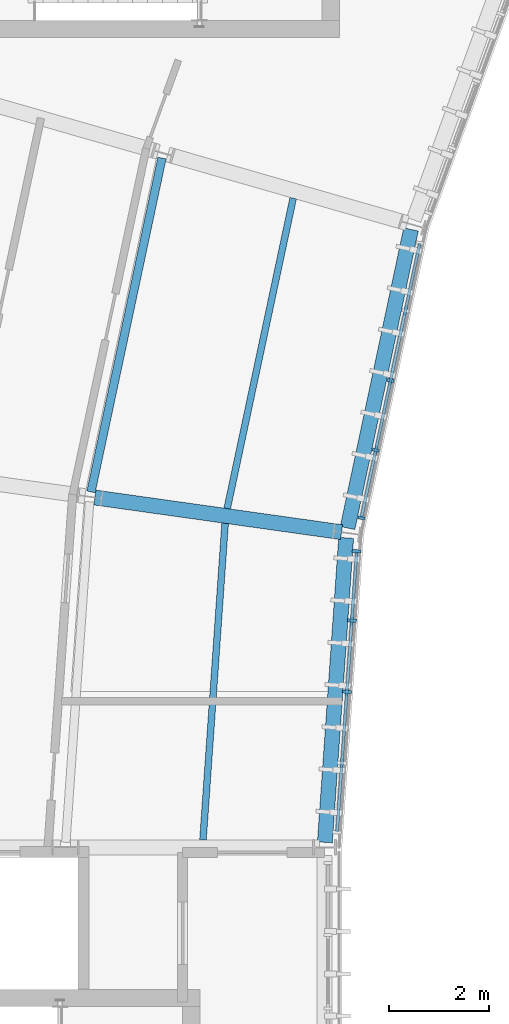
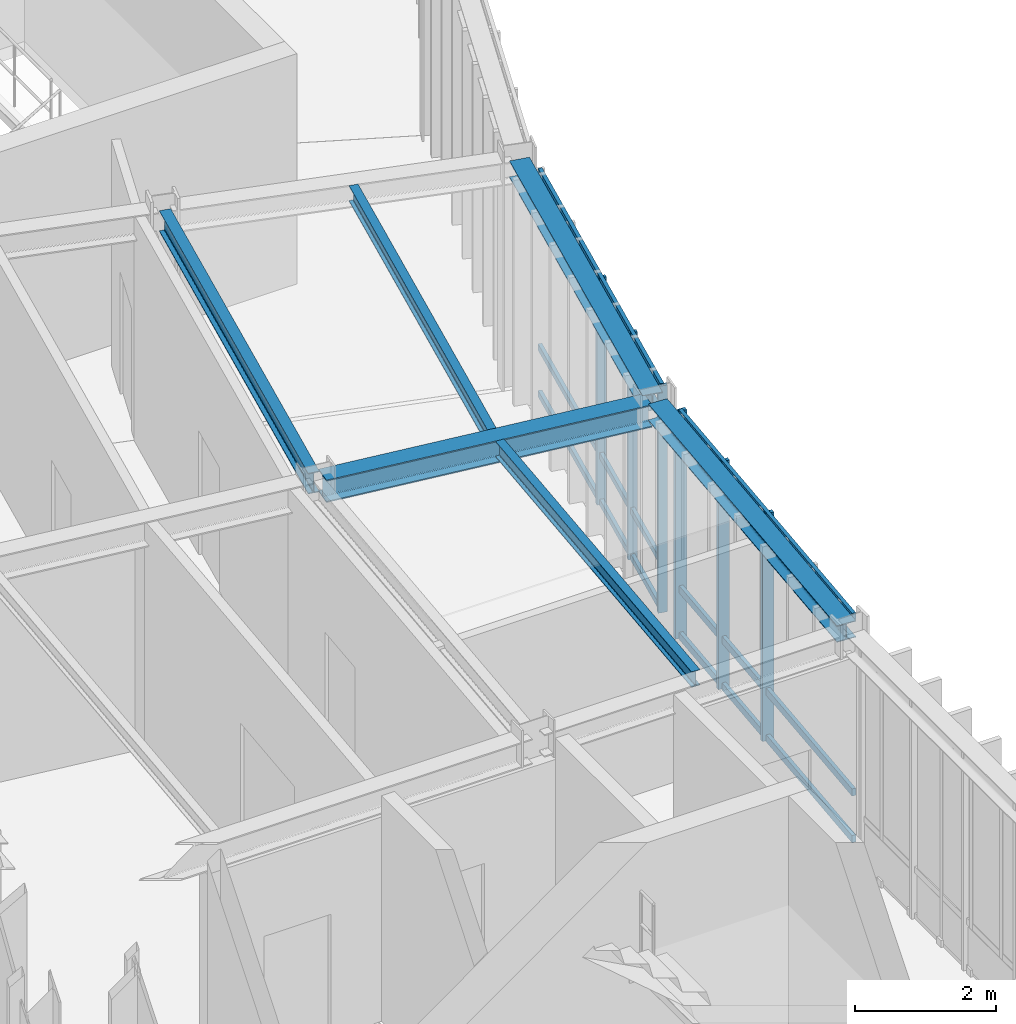
# One storey, part 11 of 57: 12 members, 6 beams, 2 elements without a shape of their own.
"""IFC4 building model written with IfcOpenShell, lengths in metres."""

from ifc_helpers import new_model, si_unit, direction, frame, origin, origin_2d, place, context, subcontext, project, spatial, rectangle, i_section, extrude, material, layer, layer_set, material_profile, profile_set, type_object, element, aggregate, save


model = new_model("IFC4")

# Units and contexts
model_context = context("Model", 3, precision=1e-05, world=origin(), true_north=direction((0.0, 1.0)))
body_context = subcontext(model_context, "Body", "Model", "MODEL_VIEW")
ifc_project = project(units=[si_unit("LENGTHUNIT", "METRE"), si_unit("AREAUNIT", "SQUARE_METRE"), si_unit("VOLUMEUNIT", "CUBIC_METRE"), si_unit("PLANEANGLEUNIT", "RADIAN"), si_unit("MASSUNIT", "GRAM", prefix="KILO"), si_unit("THERMODYNAMICTEMPERATUREUNIT", "KELVIN"), si_unit("POWERUNIT", "WATT")], contexts=[model_context])

# Site, building, storey
site_placement = place(None, origin())
site = spatial("IfcSite", under=ifc_project, at=site_placement, CompositionType="ELEMENT")
building_placement = place(site_placement, origin())
building = spatial("IfcBuilding", under=site, at=building_placement, Name="Solvatero Civic Police Headquarters", CompositionType="ELEMENT")
storey_placement = place(building_placement, frame((0.0, 0.0, 9.300048828125)))
storey = spatial("IfcBuildingStorey", under=building, at=storey_placement, Name="L02", CompositionType="ELEMENT", Elevation=9.300048828125)

# Beams
ifc_material_1 = material(Name="Steel S355", Category="steel")
ifc_material_profile_1 = material_profile(ifc_material_1, i_section(OverallWidth=0.300048828125, OverallDepth=0.2900390625, WebThickness=0.008544921875, FlangeThickness=0.013916015625, FilletRadius=0.027099609375, at=origin_2d()), Name="HEA 300")
ifc_profile_set_1 = profile_set([ifc_material_profile_1], Name="Steel S355")
beam_type_1 = type_object("IfcBeamType", Name="BM-ST-HEA300", PredefinedType="SPANDREL", material=ifc_profile_set_1)
beam_1_placement = place(storey_placement, frame((50.385986328125, 38.40234375, 3.85498046875), z_axis=(-0.207917848731, -0.978146291809, 0.0), x_axis=(0.978146291809, -0.207917848731, 0.0)))
element("IfcBeam", 1, at=beam_1_placement, inside=storey, type_object=beam_type_1, Name="Perimeter / radial spandrel beam BM-R2-L02-ARC-CIN-B11", PredefinedType="SPANDREL", context=body_context, shape_type="SweptSolid", body=[
    extrude(i_section(OverallWidth=0.300048828125, OverallDepth=0.2900390625, WebThickness=0.008544921875, FlangeThickness=0.013916015625, FilletRadius=0.027099609375, at=origin_2d()), origin(), (0.0, 0.0, 1.0), 6.126953125),
])
beam_2_placement = place(storey_placement, frame((49.084228515625, 32.211669921875, 3.85498046875), z_axis=(-0.069734750573, -0.997565569054, 0.0), x_axis=(0.997565569054, -0.069734750573, 0.0)))
element("IfcBeam", 2, at=beam_2_placement, inside=storey, type_object=beam_type_1, Name="Perimeter / radial spandrel beam BM-R2-L02-ARC-CIN-B12", PredefinedType="SPANDREL", context=body_context, shape_type="SweptSolid", body=[
    extrude(i_section(OverallWidth=0.300048828125, OverallDepth=0.2900390625, WebThickness=0.008544921875, FlangeThickness=0.013916015625, FilletRadius=0.027099609375, at=origin_2d()), origin(), (0.0, 0.0, 1.0), 6.126708984375),
])
ifc_material_profile_2 = material_profile(ifc_material_1, i_section(OverallWidth=0.300048828125, OverallDepth=0.389892578125, WebThickness=0.010986328125, FlangeThickness=0.01904296875, FilletRadius=0.027099609375, at=origin_2d()), Name="HEA 400")
ifc_profile_set_2 = profile_set([ifc_material_profile_2], Name="Steel S355")
beam_type_2 = type_object("IfcBeamType", Name="BM-ST-HEA400", PredefinedType="BEAM", material=ifc_profile_set_2)
beam_3_placement = place(storey_placement, frame((48.9921875, 32.325439453125, 3.804931640625), z_axis=(-0.990269200152, 0.139165050317, 0.0), x_axis=(-0.139165050317, -0.990269200152, 0.0)))
element("IfcBeam", 3, at=beam_3_placement, inside=storey, type_object=beam_type_2, Name="Primary girder BM-R2-L02-ARC-RAD1-S11", PredefinedType="BEAM", context=body_context, shape_type="SweptSolid", body=[
    extrude(i_section(OverallWidth=0.300048828125, OverallDepth=0.389892578125, WebThickness=0.010986328125, FlangeThickness=0.01904296875, FilletRadius=0.027099609375, at=origin_2d()), origin(), (0.0, 0.0, 1.0), 4.999755859375),
])
ifc_material_profile_3 = material_profile(ifc_material_1, i_section(OverallWidth=0.135009765625, OverallDepth=0.27001953125, WebThickness=0.006591796875, FlangeThickness=0.01025390625, FilletRadius=0.014892578125, at=origin_2d()), Name="IPE 270")
ifc_profile_set_3 = profile_set([ifc_material_profile_3], Name="Steel S355")
beam_type_3 = type_object("IfcBeamType", Name="BM-ST-IPE270", PredefinedType="BEAM", material=ifc_profile_set_3)
beam_4_placement = place(storey_placement, frame((48.0205078125, 39.02880859375, 3.864990234375), z_axis=(-0.207926610171, -0.978144429409, 0.0), x_axis=(0.978144429409, -0.207926610171, 0.0)))
element("IfcBeam", 4, at=beam_4_placement, inside=storey, type_object=beam_type_3, Name="Composite floor beam BM-R2-L02-ARC-CS1-B11", PredefinedType="BEAM", context=body_context, shape_type="SweptSolid", body=[
    extrude(i_section(OverallWidth=0.135009765625, OverallDepth=0.27001953125, WebThickness=0.006591796875, FlangeThickness=0.01025390625, FilletRadius=0.014892578125, at=origin_2d()), origin(), (0.0, 0.0, 1.0), 6.36865234375),
])
beam_5_placement = place(storey_placement, frame((46.65478515625, 32.5029296875, 3.864990234375), z_axis=(-0.069767710919, -0.997563264416, 0.0), x_axis=(0.997563264416, -0.069767710919, 0.0)))
element("IfcBeam", 5, at=beam_5_placement, inside=storey, type_object=beam_type_3, Name="Composite floor beam BM-R2-L02-ARC-CS1-B12", PredefinedType="BEAM", context=body_context, shape_type="SweptSolid", body=[
    extrude(i_section(OverallWidth=0.135009765625, OverallDepth=0.27001953125, WebThickness=0.006591796875, FlangeThickness=0.01025390625, FilletRadius=0.014892578125, at=origin_2d()), origin(), (0.0, 0.0, 1.0), 6.368896484375),
])
ifc_material_profile_4 = material_profile(ifc_material_1, i_section(OverallWidth=0.169921875, OverallDepth=0.360107421875, WebThickness=0.008056640625, FlangeThickness=0.0126953125, FilletRadius=0.01806640625, at=origin_2d()), Name="IPE 360")
ifc_profile_set_4 = profile_set([ifc_material_profile_4], Name="Steel S355")
beam_type_4 = type_object("IfcBeamType", Name="BM-ST-IPE360", PredefinedType="BEAM", material=ifc_profile_set_4)
beam_6_placement = place(storey_placement, frame((45.387451171875, 39.835693359375, 3.820068359375), z_axis=(-0.207927785808, -0.9781441795, 0.0), x_axis=(0.9781441795, -0.207927785808, 0.0)))
element("IfcBeam", 6, at=beam_6_placement, inside=storey, type_object=beam_type_4, Name="Composite floor beam BM-R2-L02-ARC-CMID-B11", PredefinedType="BEAM", context=body_context, shape_type="SweptSolid", body=[
    extrude(i_section(OverallWidth=0.169921875, OverallDepth=0.360107421875, WebThickness=0.008056640625, FlangeThickness=0.0126953125, FilletRadius=0.01806640625, at=origin_2d()), origin(), (0.0, 0.0, 1.0), 6.852294921875),
])

# Curtain wall, members
ifc_material_2 = material(Name="Anodized Bronze Aluminium", Category="aluminium")
ifc_layer = layer(ifc_material_2, 0.179931640625)
ifc_layer_set = layer_set([ifc_layer], Name="Anodized Bronze Aluminium")
curtain_wall_type = type_object("IfcCurtainWallType", Name="CW-ARC-IN", PredefinedType="USERDEFINED", material=ifc_layer_set)
curtain_wall_1_placement = place(storey_placement, origin())
curtain_wall_1 = element("IfcCurtainWall", 7, at=curtain_wall_1_placement, inside=storey, type_object=curtain_wall_type, Name="Curtain Wall CW-R2-L02-ARC-IN-B11", ObjectType="UNITISED", PredefinedType="USERDEFINED")
ifc_material_profile_5 = material_profile(ifc_material_2, rectangle(XDim=0.06005859375, YDim=0.139892578125, at=origin_2d()), Name="ALU MULLION 60x140")
ifc_profile_set_5 = profile_set([ifc_material_profile_5], Name="Anodized Bronze Aluminium")
member_type_1 = type_object("IfcMemberType", Name="CWM-160x65", PredefinedType="MULLION", material=ifc_profile_set_5)
member_1_placement = place(storey_placement, frame((49.97607421875, 35.370361328125, 0.0), z_axis=(0.0, 0.0, 1.0), x_axis=(-0.207911690818, -0.978147600734, 0.0)))
member_1 = element("IfcMember", 8, at=member_1_placement, type_object=member_type_1, Name="CW-R2-L02-ARC-IN-B11 Mullion 3", PredefinedType="MULLION", context=body_context, shape_type="SweptSolid", body=[
    extrude(rectangle(XDim=0.06005859375, YDim=0.139892578125, at=origin_2d()), origin(), (0.0, 0.0, 1.0), 3.93994140625),
])
member_2_placement = place(storey_placement, frame((49.6787109375, 33.97119140625, 0.0), z_axis=(0.0, 0.0, 1.0), x_axis=(-0.207911690818, -0.978147600734, 0.0)))
member_2 = element("IfcMember", 9, at=member_2_placement, type_object=member_type_1, Name="CW-R2-L02-ARC-IN-B11 Mullion 4", PredefinedType="MULLION", context=body_context, shape_type="SweptSolid", body=[
    extrude(rectangle(XDim=0.06005859375, YDim=0.139892578125, at=origin_2d()), origin(), (0.0, 0.0, 1.0), 3.93994140625),
])
member_3_placement = place(storey_placement, frame((49.389404296875, 32.611083984375, 0.0), z_axis=(0.0, 0.0, 1.0), x_axis=(-0.207911690818, -0.978147600734, 0.0)))
member_3 = element("IfcMember", 10, at=member_3_placement, type_object=member_type_1, Name="CW-R2-L02-ARC-IN-B11 Mullion 5", PredefinedType="MULLION", context=body_context, shape_type="SweptSolid", body=[
    extrude(rectangle(XDim=0.06005859375, YDim=0.139892578125, at=origin_2d()), origin(), (0.0, 0.0, 1.0), 3.93994140625),
])

curtain_wall_2_placement = place(storey_placement, origin())
curtain_wall_2 = element("IfcCurtainWall", 11, at=curtain_wall_2_placement, inside=storey, type_object=curtain_wall_type, Name="Curtain Wall CW-R2-L02-ARC-IN-B12", ObjectType="UNITISED", PredefinedType="USERDEFINED")
ifc_material_profile_6 = material_profile(ifc_material_2, rectangle(XDim=0.06494140625, YDim=0.179931640625, at=origin_2d()), Name="ALU MULLION 65x180")
ifc_profile_set_6 = profile_set([ifc_material_profile_6], Name="Anodized Bronze Aluminium")
member_type_2 = type_object("IfcMemberType", Name="CWM-200x75", PredefinedType="MULLION", material=ifc_profile_set_6)
member_4_placement = place(storey_placement, frame((49.29541015625, 31.94140625, 0.0), z_axis=(0.0, 0.0, 1.0), x_axis=(-0.069756473744, -0.99756405026, 0.0)))
member_4 = element("IfcMember", 12, at=member_4_placement, type_object=member_type_2, Name="CW-R2-L02-ARC-IN-B12 Mullion 1", PredefinedType="MULLION", context=body_context, shape_type="SweptSolid", body=[
    extrude(rectangle(XDim=0.06494140625, YDim=0.179931640625, at=origin_2d()), origin(), (0.0, 0.0, 1.0), 3.93994140625),
])
member_5_placement = place(storey_placement, frame((49.1982421875, 30.551513671875, 0.0), z_axis=(0.0, 0.0, 1.0), x_axis=(-0.069756473744, -0.99756405026, 0.0)))
member_5 = element("IfcMember", 13, at=member_5_placement, type_object=member_type_2, Name="CW-R2-L02-ARC-IN-B12 Mullion 2", PredefinedType="MULLION", context=body_context, shape_type="SweptSolid", body=[
    extrude(rectangle(XDim=0.06494140625, YDim=0.179931640625, at=origin_2d()), origin(), (0.0, 0.0, 1.0), 3.93994140625),
])
member_6_placement = place(storey_placement, frame((49.098388671875, 29.121826171875, 0.0), z_axis=(0.0, 0.0, 1.0), x_axis=(-0.069756473744, -0.99756405026, 0.0)))
member_6 = element("IfcMember", 14, at=member_6_placement, type_object=member_type_2, Name="CW-R2-L02-ARC-IN-B12 Mullion 3", PredefinedType="MULLION", context=body_context, shape_type="SweptSolid", body=[
    extrude(rectangle(XDim=0.06494140625, YDim=0.179931640625, at=origin_2d()), origin(), (0.0, 0.0, 1.0), 3.93994140625),
])

# Member
ifc_material_profile_7 = material_profile(ifc_material_2, rectangle(XDim=0.06005859375, YDim=0.110107421875, at=origin_2d()), Name="ALU TRANSOM 60x110")
ifc_profile_set_7 = profile_set([ifc_material_profile_7], Name="Anodized Bronze Aluminium")
member_type_3 = type_object("IfcMemberType", Name="CWT-140x60", PredefinedType="USERDEFINED", material=ifc_profile_set_7)
member_7_placement = place(storey_placement, frame((50.560546875, 38.119873046875, 0.0400390625), z_axis=(-0.207927313623, -0.978144279874, 0.0), x_axis=(0.978144279874, -0.207927313623, 0.0)))
member_7 = element("IfcMember", 15, at=member_7_placement, type_object=member_type_3, Name="CW-R2-L02-ARC-IN-B11 Transom 1", ObjectType="TRANSOM", PredefinedType="USERDEFINED", context=body_context, shape_type="SweptSolid", body=[
    extrude(rectangle(XDim=0.06005859375, YDim=0.110107421875, at=origin_2d()), origin(), (0.0, 0.0, 1.0), 5.621826171875),
])

member_8_placement = place(storey_placement, frame((50.560546875, 38.119873046875, 0.849853515625), z_axis=(-0.207927313623, -0.978144279874, 0.0), x_axis=(0.978144279874, -0.207927313623, 0.0)))
member_8 = element("IfcMember", 16, at=member_8_placement, type_object=member_type_3, Name="CW-R2-L02-ARC-IN-B11 Transom 2", ObjectType="TRANSOM", PredefinedType="USERDEFINED", context=body_context, shape_type="SweptSolid", body=[
    extrude(rectangle(XDim=0.06005859375, YDim=0.110107421875, at=origin_2d()), origin(), (0.0, 0.0, 1.0), 5.621826171875),
])

member_9_placement = place(storey_placement, frame((50.560546875, 38.119873046875, 3.89990234375), z_axis=(-0.207927313623, -0.978144279874, 0.0), x_axis=(0.978144279874, -0.207927313623, 0.0)))
member_9 = element("IfcMember", 17, at=member_9_placement, type_object=member_type_3, Name="CW-R2-L02-ARC-IN-B11 Transom 3", ObjectType="TRANSOM", PredefinedType="USERDEFINED", context=body_context, shape_type="SweptSolid", body=[
    extrude(rectangle(XDim=0.06005859375, YDim=0.110107421875, at=origin_2d()), origin(), (0.0, 0.0, 1.0), 5.621826171875),
])

aggregate(curtain_wall_1, [member_1, member_2, member_3, member_7, member_8, member_9])

ifc_material_profile_8 = material_profile(ifc_material_2, rectangle(XDim=0.06005859375, YDim=0.125, at=origin_2d()), Name="ALU TRANSOM 60x125")
ifc_profile_set_8 = profile_set([ifc_material_profile_8], Name="Anodized Bronze Aluminium")
member_type_4 = type_object("IfcMemberType", Name="CWT-160x65", PredefinedType="USERDEFINED", material=ifc_profile_set_8)
member_10_placement = place(storey_placement, frame((49.294677734375, 31.931396484375, 0.0400390625), z_axis=(-0.069737689868, -0.997565363579, 0.0), x_axis=(0.997565363579, -0.069737689868, 0.0)))
member_10 = element("IfcMember", 18, at=member_10_placement, type_object=member_type_4, Name="CW-R2-L02-ARC-IN-B12 Transom 1", ObjectType="TRANSOM", PredefinedType="USERDEFINED", context=body_context, shape_type="SweptSolid", body=[
    extrude(rectangle(XDim=0.06005859375, YDim=0.125, at=origin_2d()), origin(), (0.0, 0.0, 1.0), 5.6328125),
])

member_11_placement = place(storey_placement, frame((49.294677734375, 31.931396484375, 0.849853515625), z_axis=(-0.069737689868, -0.997565363579, 0.0), x_axis=(0.997565363579, -0.069737689868, 0.0)))
member_11 = element("IfcMember", 19, at=member_11_placement, type_object=member_type_4, Name="CW-R2-L02-ARC-IN-B12 Transom 2", ObjectType="TRANSOM", PredefinedType="USERDEFINED", context=body_context, shape_type="SweptSolid", body=[
    extrude(rectangle(XDim=0.06005859375, YDim=0.125, at=origin_2d()), origin(), (0.0, 0.0, 1.0), 5.6328125),
])

member_12_placement = place(storey_placement, frame((49.294677734375, 31.931396484375, 3.89990234375), z_axis=(-0.069737689868, -0.997565363579, 0.0), x_axis=(0.997565363579, -0.069737689868, 0.0)))
member_12 = element("IfcMember", 20, at=member_12_placement, type_object=member_type_4, Name="CW-R2-L02-ARC-IN-B12 Transom 3", ObjectType="TRANSOM", PredefinedType="USERDEFINED", context=body_context, shape_type="SweptSolid", body=[
    extrude(rectangle(XDim=0.06005859375, YDim=0.125, at=origin_2d()), origin(), (0.0, 0.0, 1.0), 5.6328125),
])

aggregate(curtain_wall_2, [member_4, member_5, member_6, member_10, member_11, member_12])

save(model, "model.ifc")
